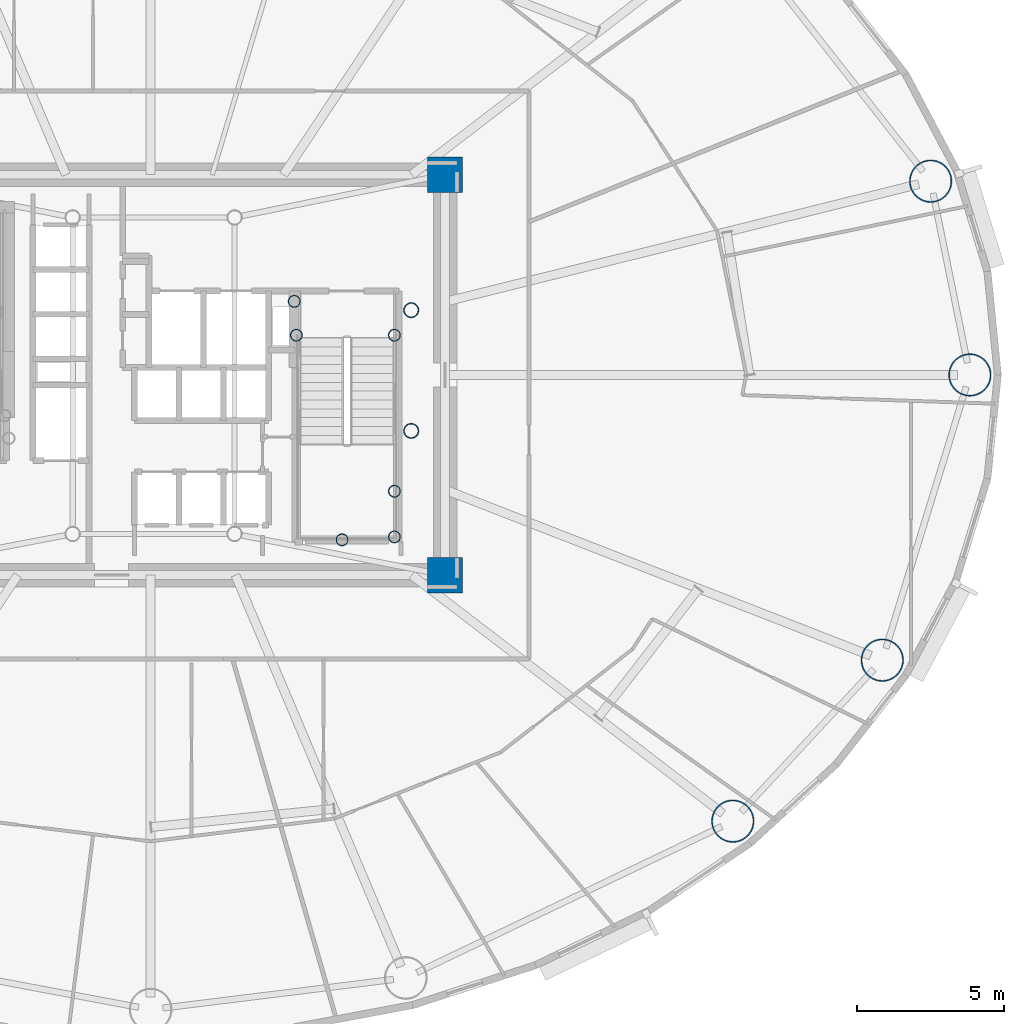
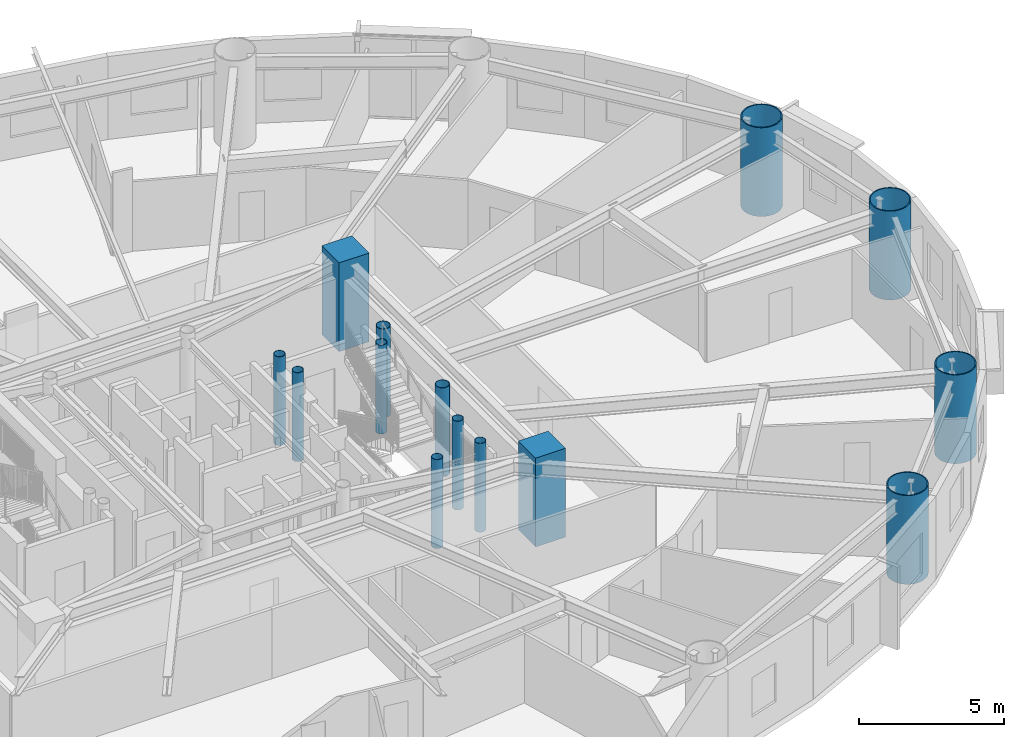
# One storey, part 2 of 22: 14 columns.
"""IFC4 building model written with IfcOpenShell, lengths in metres."""

from ifc_helpers import new_model, si_unit, direction, frame, origin, origin_2d, place, context, subcontext, project, spatial, rectangle, hollow_circle, extrude, material, material_profile, profile_set, type_object, element, save


model = new_model("IFC4")

# Units and contexts
model_context = context("Model", 3, precision=1e-05, world=origin(), true_north=direction((0.0, 1.0)))
body_context = subcontext(model_context, "Body", "Model", "MODEL_VIEW")
ifc_project = project(units=[si_unit("LENGTHUNIT", "METRE"), si_unit("AREAUNIT", "SQUARE_METRE"), si_unit("VOLUMEUNIT", "CUBIC_METRE"), si_unit("PLANEANGLEUNIT", "RADIAN"), si_unit("MASSUNIT", "GRAM", prefix="KILO")], contexts=[model_context])

# Site, building, storey
site_placement = place(None, origin())
site = spatial("IfcSite", under=ifc_project, at=site_placement, CompositionType="ELEMENT")
building_placement = place(site_placement, origin())
building = spatial("IfcBuilding", under=site, at=building_placement, Name="Linh Dai School and Residence Tower", CompositionType="ELEMENT")
storey_placement = place(building_placement, frame((0.0, 0.0, 130.949951171875)))
storey = spatial("IfcBuildingStorey", under=building, at=storey_placement, Name="L31", CompositionType="ELEMENT", Elevation=130.949951171875)

# Columns
ifc_material_1 = material(Name="Concrete B60 (C50/60)", Category="concrete")
ifc_material_profile_1 = material_profile(ifc_material_1, rectangle(XDim=1.199951171875, YDim=1.199951171875, at=origin_2d()), Name="RC 1200x1200")
ifc_profile_set_1 = profile_set([ifc_material_profile_1], Name="Concrete B60 (C50/60)")
column_type_1 = type_object("IfcColumnType", Name="COL-CC2", PredefinedType="COLUMN", material=ifc_profile_set_1)
for number, where, z_axis, x_axis, name in (
    (1, (46.0, 20.199951171875, 0.0), (0.0, 0.0, 1.0), (1.0, 0.0, 0.0), "L31 Core Corner Pier CC2"),
    (2, (46.0, 33.800048828125, 0.0), (0.0, 0.0, 1.0), (1.0, 0.0, 0.0), "L31 Core Corner Pier CC3"),
):
    element("IfcColumn", number, at=place(storey_placement, frame(where, z_axis=z_axis, x_axis=x_axis)), inside=storey, type_object=column_type_1, Name=name, PredefinedType="COLUMN", context=body_context, shape_type="SweptSolid", body=[
        extrude(rectangle(XDim=1.199951171875, YDim=1.199951171875, at=origin_2d()), origin(), (0.0, 0.0, 1.0), 3.75),
    ])
ifc_material_2 = material(Name="Structural Steel S355JR", Category="steel")
ifc_material_profile_2 = material_profile(ifc_material_2, hollow_circle(Radius=0.203125, WallThickness=0.01611328125, at=origin_2d()), Name="CHS 406.4x16")
ifc_profile_set_2 = profile_set([ifc_material_profile_2], Name="Structural Steel S355JR")
column_type_2 = type_object("IfcColumnType", Name="COL-EC", PredefinedType="COLUMN", material=ifc_profile_set_2)
for number, where, z_axis, x_axis, name in (
    (3, (44.280029296875, 21.5, 0.0), (0.0, 0.0, 1.0), (1.0, 0.0, 0.0), "L31 Stair Shaft Landing Support Pier ST2SE"),
    (4, (44.280029296875, 23.050048828125, 0.0), (0.0, 0.0, 1.0), (1.0, 0.0, 0.0), "L31 Stair Shaft Landing Support Pier ST2NE"),
    (5, (42.5, 21.39990234375, 0.0), (0.0, 0.0, 1.0), (1.0, 0.0, 0.0), "L31 Stair Shaft Landing Support Pier ST2MS"),
    (6, (40.949951171875, 28.35009765625, 0.0), (0.0, 0.0, 1.0), (1.0, 0.0, 0.0), "L31 Stair Shaft Landing Support Pier ST2N1"),
    (7, (44.280029296875, 28.35009765625, 0.0), (0.0, 0.0, 1.0), (1.0, 0.0, 0.0), "L31 Stair Shaft Landing Support Pier ST2N2"),
    (8, (40.8798828125, 29.5, 0.0), (0.0, 0.0, 1.0), (1.0, 0.0, 0.0), "L31 Stair Shaft Landing Support Pier ST2N3"),
):
    element("IfcColumn", number, at=place(storey_placement, frame(where, z_axis=z_axis, x_axis=x_axis)), inside=storey, type_object=column_type_2, Name=name, PredefinedType="COLUMN", context=body_context, shape_type="SweptSolid", body=[
        extrude(hollow_circle(Radius=0.203125, WallThickness=0.01611328125, at=origin_2d()), origin(), (0.0, 0.0, 1.0), 3.75),
    ])
ifc_material_profile_3 = material_profile(ifc_material_2, hollow_circle(Radius=0.72509765625, WallThickness=0.0419921875, at=origin_2d()), Name="CHS 1450x42")
ifc_profile_set_3 = profile_set([ifc_material_profile_3], Name="Structural Steel S355JR")
column_type_3 = type_object("IfcColumnType", Name="COL-MC3", PredefinedType="COLUMN", material=ifc_profile_set_3)
for number, where, z_axis, x_axis, name in (
    (9, (63.824951171875, 27.0, 0.0), (0.0, 0.0, 1.0), (1.0, 0.0, 0.0), "L31 Perimeter CFT Mega-Column MC01"),
    (10, (62.49267578125, 33.5810546875, 0.0), (0.0, 0.0, 1.0), (1.0, 0.0, 0.0), "L31 Perimeter CFT Mega-Column MC02"),
    (11, (55.772705078125, 11.844482421875, 0.0), (0.0, 0.0, 1.0), (1.0, 0.0, 0.0), "L31 Perimeter CFT Mega-Column MC15"),
    (12, (60.84912109375, 17.3125, 0.0), (0.0, 0.0, 1.0), (1.0, 0.0, 0.0), "L31 Perimeter CFT Mega-Column MC16"),
):
    element("IfcColumn", number, at=place(storey_placement, frame(where, z_axis=z_axis, x_axis=x_axis)), inside=storey, type_object=column_type_3, Name=name, PredefinedType="COLUMN", context=body_context, shape_type="SweptSolid", body=[
        extrude(hollow_circle(Radius=0.72509765625, WallThickness=0.0419921875, at=origin_2d()), origin(), (0.0, 0.0, 1.0), 3.75),
    ])
ifc_material_profile_4 = material_profile(ifc_material_2, hollow_circle(Radius=0.25390625, WallThickness=0.02001953125, at=origin_2d()), Name="CHS 508x20")
ifc_profile_set_4 = profile_set([ifc_material_profile_4], Name="Structural Steel S355JR")
column_type_4 = type_object("IfcColumnType", Name="COL-MCP", PredefinedType="COLUMN", material=ifc_profile_set_4)
for number, where, z_axis, x_axis, name in (
    (13, (44.85009765625, 25.10009765625, 0.0), (0.0, 0.0, 1.0), (1.0, 0.0, 0.0), "L31 Sky-Lounge Core Anchor Pier S"),
    (14, (44.85009765625, 29.199951171875, 0.0), (0.0, 0.0, 1.0), (1.0, 0.0, 0.0), "L31 Sky-Lounge Core Anchor Pier N"),
):
    element("IfcColumn", number, at=place(storey_placement, frame(where, z_axis=z_axis, x_axis=x_axis)), inside=storey, type_object=column_type_4, Name=name, PredefinedType="COLUMN", context=body_context, shape_type="SweptSolid", body=[
        extrude(hollow_circle(Radius=0.25390625, WallThickness=0.02001953125, at=origin_2d()), origin(), (0.0, 0.0, 1.0), 3.75),
    ])

save(model, "model.ifc")
